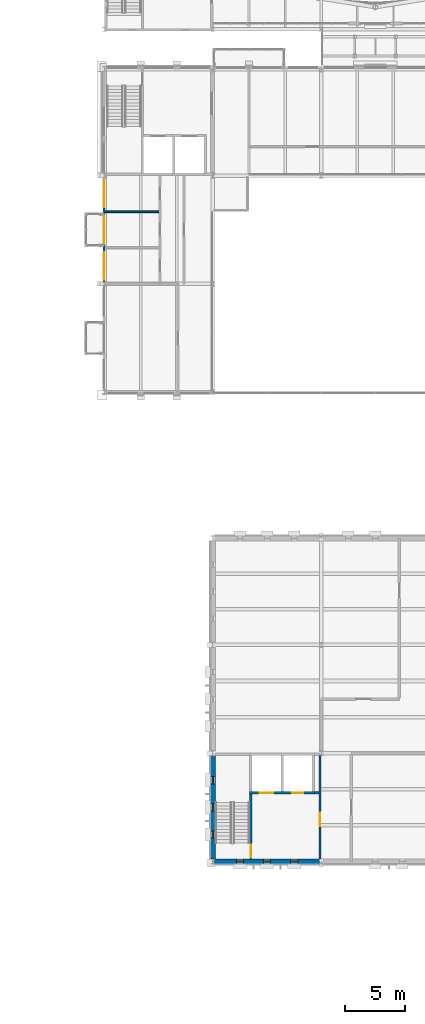
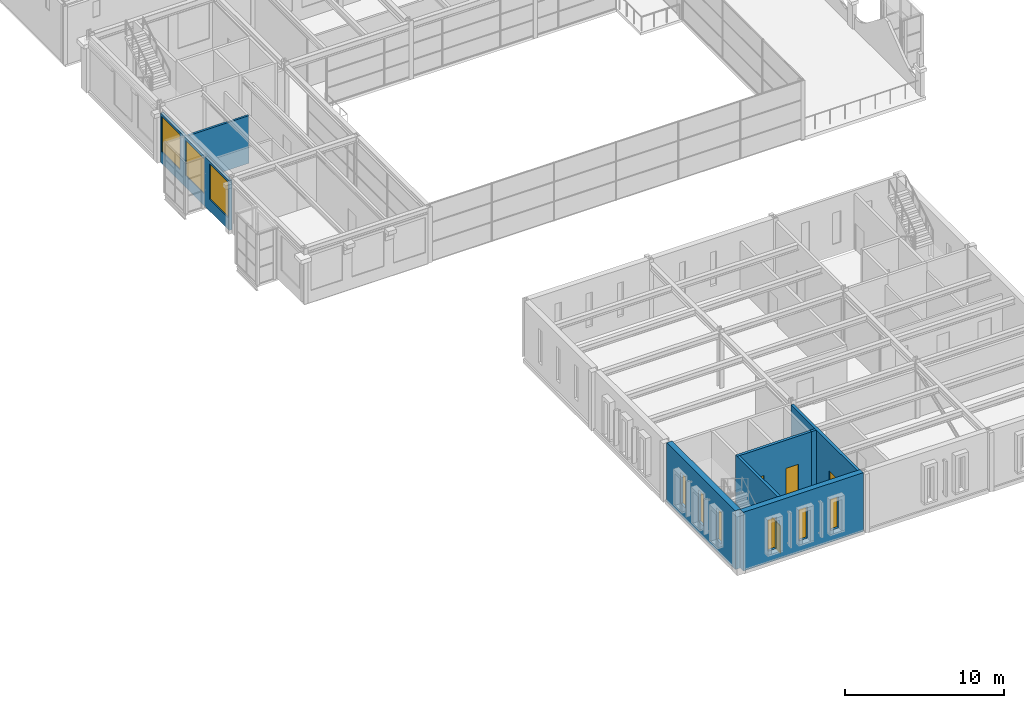
# One storey, part 65 of 111: 9 windows, 8 walls, 4 doors, 13 openings.
"""IFC4 building model written with IfcOpenShell, lengths in metres."""

from ifc_helpers import new_model, si_unit, direction, frame, frame_2d, origin, place, context, subcontext, project, spatial, rectangle, extrude, material, layer, layer_set, type_object, element, fill, save


model = new_model("IFC4")

# Units and contexts
model_context = context("Model", 3, precision=1e-05, world=origin(), true_north=direction((0.0, 1.0)))
body_context = subcontext(model_context, "Body", "Model", "MODEL_VIEW")
ifc_project = project(units=[si_unit("LENGTHUNIT", "METRE"), si_unit("AREAUNIT", "SQUARE_METRE"), si_unit("VOLUMEUNIT", "CUBIC_METRE"), si_unit("PLANEANGLEUNIT", "RADIAN"), si_unit("MASSUNIT", "GRAM", prefix="KILO")], contexts=[model_context])

# Site, building, storey
site_placement = place(None, origin())
site = spatial("IfcSite", under=ifc_project, at=site_placement, CompositionType="ELEMENT")
building_placement = place(site_placement, origin())
building = spatial("IfcBuilding", under=site, at=building_placement, Name="Kallimachos Central Library", CompositionType="ELEMENT")
storey_placement = place(building_placement, frame((0.0, 0.0, 14.39990234375)))
storey = spatial("IfcBuildingStorey", under=building, at=storey_placement, Name="L03", CompositionType="ELEMENT", Elevation=14.39990234375)

# Wall, opening, door
ifc_material_1 = material(Name="Concrete C30/37", Category="concrete")
ifc_layer_1 = layer(ifc_material_1, 0.199951171875)
ifc_layer_set_1 = layer_set([ifc_layer_1], Name="Core wall 200")
wall_type_1 = type_object("IfcWallType", Name="Core wall 200", PredefinedType="SOLIDWALL", material=ifc_layer_set_1)
wall_1_placement = place(storey_placement, frame((83.39990234375, 18.199951171875, 0.0), z_axis=(0.0, 0.0, 1.0), x_axis=(0.0, 1.0, 0.0)))
wall_1 = element("IfcWall", 1, at=wall_1_placement, inside=storey, type_object=wall_type_1, Name="V5-WAL-L03-024", PredefinedType="SOLIDWALL", context=body_context, shape_type="SweptSolid", body=[
    extrude(rectangle(XDim=8.611572265625, YDim=0.199951171875, at=frame_2d((4.3056640625, 0.0))), origin(), (0.0, 0.0, 1.0), 4.25),
])
opening_1_placement = place(wall_1_placement, frame((2.75, 0.0, 0.0)))
opening_1 = element("IfcOpeningElement", 2, at=opening_1_placement, cuts=wall_1, Name="Opening D122", PredefinedType="OPENING", context=body_context, shape_type="SweptSolid", body=[
    extrude(rectangle(XDim=1.10009765625, YDim=2.10009765625, at=frame_2d((0.550048828125, 1.050048828125))), frame((0.0, 0.10986328125, 0.0), z_axis=(0.0, -1.0, 0.0), x_axis=(1.0, 0.0, 0.0)), (0.0, 0.0, 1.0), 0.219970703125),
])
ifc_material_2 = material(Name="Steel fire door", Category="steel")
door_type_1 = type_object("IfcDoorType", Name="Fire door EI2 90 1100 x 2100", OperationType="NOTDEFINED", PredefinedType="DOOR", material=ifc_material_2)
door_1_placement = place(opening_1_placement, origin())
door_1 = element("IfcDoor", 3, at=door_1_placement, inside=storey, type_object=door_type_1, Name="ST13 lobby door L03", OperationType="SINGLE_SWING_RIGHT", OverallHeight=2.10009765625, OverallWidth=1.10009765625, PredefinedType="DOOR", context=body_context, shape_type="SweptSolid", body=[
    extrude(rectangle(XDim=1.10009765625, YDim=2.10009765625, at=frame_2d((0.550048828125, 1.050048828125))), frame((0.0, 0.02490234375, 0.0), z_axis=(0.0, -1.0, 0.0), x_axis=(1.0, 0.0, 0.0)), (0.0, 0.0, 1.0), 0.050048828125),
])
fill(opening_1, door_1)

wall_2_placement = place(storey_placement, frame((77.64990234375, 18.199951171875, 0.0), z_axis=(0.0, 0.0, 1.0), x_axis=(0.0, 1.0, 0.0)))
wall_2 = element("IfcWall", 4, at=wall_2_placement, inside=storey, type_object=wall_type_1, Name="V5-WAL-L03-025", PredefinedType="SOLIDWALL", context=body_context, shape_type="SweptSolid", body=[
    extrude(rectangle(XDim=5.60009765625, YDim=0.199951171875, at=frame_2d((2.800048828125, 0.0))), origin(), (0.0, 0.0, 1.0), 4.25),
])
opening_2_placement = place(wall_2_placement, frame((0.10009765625, 0.0, 0.0)))
opening_2 = element("IfcOpeningElement", 5, at=opening_2_placement, cuts=wall_2, Name="Opening D121", PredefinedType="OPENING", context=body_context, shape_type="SweptSolid", body=[
    extrude(rectangle(XDim=1.10009765625, YDim=2.10009765625, at=frame_2d((0.550048828125, 1.050048828125))), frame((0.0, 0.10986328125, 0.0), z_axis=(0.0, -1.0, 0.0), x_axis=(1.0, 0.0, 0.0)), (0.0, 0.0, 1.0), 0.219970703125),
])
door_2_placement = place(opening_2_placement, origin())
door_2 = element("IfcDoor", 6, at=door_2_placement, inside=storey, type_object=door_type_1, Name="ST13 stair door L03", OperationType="SINGLE_SWING_RIGHT", OverallHeight=2.10009765625, OverallWidth=1.10009765625, PredefinedType="DOOR", context=body_context, shape_type="SweptSolid", body=[
    extrude(rectangle(XDim=1.10009765625, YDim=2.10009765625, at=frame_2d((0.550048828125, 1.050048828125))), frame((0.0, 0.02490234375, 0.0), z_axis=(0.0, -1.0, 0.0), x_axis=(1.0, 0.0, 0.0)), (0.0, 0.0, 1.0), 0.050048828125),
])
fill(opening_2, door_2)

# Wall
wall_3_placement = place(storey_placement, frame((82.949951171875, 23.699951171875, 0.0), z_axis=(0.0, 0.0, 1.0), x_axis=(1.0, 0.0, 0.0)))
element("IfcWall", 7, at=wall_3_placement, inside=storey, type_object=wall_type_1, Name="V5-WAL-L03-026", PredefinedType="SOLIDWALL", context=body_context, shape_type="SweptSolid", body=[
    extrude(rectangle(XDim=0.35009765625, YDim=0.199951171875, at=frame_2d((0.175048828125, 0.0))), origin(), (0.0, 0.0, 1.0), 4.25),
])

# Wall, openings, doors
ifc_material_3 = material(Name="Concrete C30/37", Category="concrete")
ifc_layer_2 = layer(ifc_material_3, 0.199951171875)
ifc_layer_set_2 = layer_set([ifc_layer_2], Name="Lift shaft wall 200")
wall_type_2 = type_object("IfcWallType", Name="Lift shaft wall 200", PredefinedType="SOLIDWALL", material=ifc_layer_set_2)
wall_4_placement = place(storey_placement, frame((77.550048828125, 23.699951171875, 0.0), z_axis=(0.0, 0.0, 1.0), x_axis=(1.0, 0.0, 0.0)))
wall_4 = element("IfcWall", 8, at=wall_4_placement, inside=storey, type_object=wall_type_2, Name="V5-WAL-L03-001", PredefinedType="SOLIDWALL", context=body_context, shape_type="SweptSolid", body=[
    extrude(rectangle(XDim=5.39990234375, YDim=0.199951171875, at=frame_2d((2.699951171875, 0.0))), origin(), (0.0, 0.0, 1.0), 4.25),
])
opening_3_placement = place(wall_4_placement, frame((0.85009765625, 0.0, 0.0)))
opening_3 = element("IfcOpeningElement", 9, at=opening_3_placement, cuts=wall_4, Name="Opening LD1100", PredefinedType="OPENING", context=body_context, shape_type="SweptSolid", body=[
    extrude(rectangle(XDim=1.10009765625, YDim=2.10009765625, at=frame_2d((0.550048828125, 1.050048828125))), frame((0.0, 0.10986328125, 0.0), z_axis=(0.0, -1.0, 0.0), x_axis=(1.0, 0.0, 0.0)), (0.0, 0.0, 1.0), 0.219970703125),
])
opening_4_placement = place(wall_4_placement, frame((3.550048828125, 0.0, 0.0)))
opening_4 = element("IfcOpeningElement", 10, at=opening_4_placement, cuts=wall_4, Name="Opening LD900", PredefinedType="OPENING", context=body_context, shape_type="SweptSolid", body=[
    extrude(rectangle(XDim=0.89990234375, YDim=2.10009765625, at=frame_2d((0.449951171875, 1.050048828125))), frame((0.0, 0.10986328125, 0.0), z_axis=(0.0, -1.0, 0.0), x_axis=(1.0, 0.0, 0.0)), (0.0, 0.0, 1.0), 0.219970703125),
])
ifc_material_4 = material(Name="Stainless steel", Category="steel")
door_type_2 = type_object("IfcDoorType", Name="Lift landing door 1100 x 2100", OperationType="SLIDING_TO_LEFT", PredefinedType="DOOR", material=ifc_material_4)
door_3_placement = place(opening_3_placement, origin())
door_3 = element("IfcDoor", 11, at=door_3_placement, inside=storey, type_object=door_type_2, Name="LF11 landing door L03", OperationType="SLIDING_TO_LEFT", OverallHeight=2.10009765625, OverallWidth=1.10009765625, PredefinedType="DOOR", context=body_context, shape_type="SweptSolid", body=[
    extrude(rectangle(XDim=1.10009765625, YDim=2.10009765625, at=frame_2d((0.550048828125, 1.050048828125))), frame((0.0, 0.02490234375, 0.0), z_axis=(0.0, -1.0, 0.0), x_axis=(1.0, 0.0, 0.0)), (0.0, 0.0, 1.0), 0.050048828125),
])
fill(opening_3, door_3)
ifc_material_5 = material(Name="Stainless steel", Category="steel")
door_type_3 = type_object("IfcDoorType", Name="Lift landing door 900 x 2100", OperationType="SLIDING_TO_LEFT", PredefinedType="DOOR", material=ifc_material_5)
door_4_placement = place(opening_4_placement, origin())
door_4 = element("IfcDoor", 12, at=door_4_placement, inside=storey, type_object=door_type_3, Name="LF12 landing door L03", OperationType="SLIDING_TO_LEFT", OverallHeight=2.10009765625, OverallWidth=0.89990234375, PredefinedType="DOOR", context=body_context, shape_type="SweptSolid", body=[
    extrude(rectangle(XDim=0.89990234375, YDim=2.10009765625, at=frame_2d((0.449951171875, 1.050048828125))), frame((0.0, 0.02490234375, 0.0), z_axis=(0.0, -1.0, 0.0), x_axis=(1.0, 0.0, 0.0)), (0.0, 0.0, 1.0), 0.050048828125),
])
fill(opening_4, door_4)

# Wall
ifc_material_6 = material(Name="Gypsum board on steel studs", Category="steel")
ifc_layer_3 = layer(ifc_material_6, 0.14990234375)
ifc_layer_set_3 = layer_set([ifc_layer_3], Name="Partition wall 150")
wall_type_3 = type_object("IfcWallType", Name="Partition wall 150", PredefinedType="PARTITIONING", material=ifc_layer_set_3)
wall_5_placement = place(storey_placement, frame((65.550048828125, 72.0, 0.0), z_axis=(0.0, 0.0, 1.0), x_axis=(1.0, 0.0, 0.0)))
element("IfcWall", 13, at=wall_5_placement, inside=storey, type_object=wall_type_3, Name="L03 partition", PredefinedType="PARTITIONING", context=body_context, shape_type="SweptSolid", body=[
    extrude(rectangle(XDim=4.550048828125, YDim=0.14990234375, at=frame_2d((2.27490234375, 0.0))), origin(), (0.0, 0.0, 1.0), 3.650146484375),
])

# Wall, openings, windows
ifc_material_7 = material(Name="Concrete C30/37", Category="concrete")
ifc_layer_4 = layer(ifc_material_7, 0.39990234375)
ifc_layer_set_4 = layer_set([ifc_layer_4], Name="Stone-clad core wall 400")
wall_type_4 = type_object("IfcWallType", Name="Stone-clad core wall 400", PredefinedType="SOLIDWALL", material=ifc_layer_set_4)
wall_6_placement = place(storey_placement, frame((74.64990234375, 18.0, 0.0), z_axis=(0.0, 0.0, 1.0), x_axis=(1.0, 0.0, 0.0)))
wall_6 = element("IfcWall", 14, at=wall_6_placement, inside=storey, type_object=wall_type_4, Name="V5-WAL-L03-010", PredefinedType="SOLIDWALL", context=body_context, shape_type="SweptSolid", body=[
    extrude(rectangle(XDim=8.7001953125, YDim=0.39990234375, at=frame_2d((4.35009765625, 0.0))), origin(), (0.0, 0.0, 1.0), 4.5),
])
opening_5_placement = place(wall_6_placement, frame((1.800048828125, 0.0, 0.89990234375)))
opening_5 = element("IfcOpeningElement", 15, at=opening_5_placement, cuts=wall_6, Name="Opening WN100", PredefinedType="OPENING", context=body_context, shape_type="SweptSolid", body=[
    extrude(rectangle(XDim=0.60009765625, YDim=2.39990234375, at=frame_2d((0.300048828125, 1.199951171875))), frame((0.0, 0.2099609375, 0.0), z_axis=(0.0, -1.0, 0.0), x_axis=(1.0, 0.0, 0.0)), (0.0, 0.0, 1.0), 0.419921875),
])
opening_6_placement = place(wall_6_placement, frame((4.050048828125, 0.0, 0.89990234375)))
opening_6 = element("IfcOpeningElement", 16, at=opening_6_placement, cuts=wall_6, Name="Opening WN101", PredefinedType="OPENING", context=body_context, shape_type="SweptSolid", body=[
    extrude(rectangle(XDim=0.60009765625, YDim=2.39990234375, at=frame_2d((0.300048828125, 1.199951171875))), frame((0.0, 0.2099609375, 0.0), z_axis=(0.0, -1.0, 0.0), x_axis=(1.0, 0.0, 0.0)), (0.0, 0.0, 1.0), 0.419921875),
])
opening_7_placement = place(wall_6_placement, frame((6.300048828125, 0.0, 0.89990234375)))
opening_7 = element("IfcOpeningElement", 17, at=opening_7_placement, cuts=wall_6, Name="Opening WN102", PredefinedType="OPENING", context=body_context, shape_type="SweptSolid", body=[
    extrude(rectangle(XDim=0.60009765625, YDim=2.39990234375, at=frame_2d((0.300048828125, 1.199951171875))), frame((0.0, 0.2099609375, 0.0), z_axis=(0.0, -1.0, 0.0), x_axis=(1.0, 0.0, 0.0)), (0.0, 0.0, 1.0), 0.419921875),
])
ifc_material_8 = material(Name="Anodised aluminium and laminated glass", Category="aluminium")
window_type_1 = type_object("IfcWindowType", Name="Slot window 600 x 2400", PartitioningType="SINGLE_PANEL", PredefinedType="WINDOW", material=ifc_material_8)
window_1_placement = place(opening_5_placement, origin())
window_1 = element("IfcWindow", 18, at=window_1_placement, inside=storey, type_object=window_type_1, Name="V5-WIN-L03-001", OverallHeight=2.39990234375, OverallWidth=0.60009765625, PartitioningType="SINGLE_PANEL", PredefinedType="WINDOW", context=body_context, shape_type="SweptSolid", body=[
    extrude(rectangle(XDim=0.60009765625, YDim=2.39990234375, at=frame_2d((0.300048828125, 1.199951171875))), frame((0.0, 0.030029296875, 0.0), z_axis=(0.0, -1.0, 0.0), x_axis=(1.0, 0.0, 0.0)), (0.0, 0.0, 1.0), 0.06005859375),
])
fill(opening_5, window_1)
window_2_placement = place(opening_6_placement, origin())
window_2 = element("IfcWindow", 19, at=window_2_placement, inside=storey, type_object=window_type_1, Name="V5-WIN-L03-002", OverallHeight=2.39990234375, OverallWidth=0.60009765625, PartitioningType="SINGLE_PANEL", PredefinedType="WINDOW", context=body_context, shape_type="SweptSolid", body=[
    extrude(rectangle(XDim=0.60009765625, YDim=2.39990234375, at=frame_2d((0.300048828125, 1.199951171875))), frame((0.0, 0.030029296875, 0.0), z_axis=(0.0, -1.0, 0.0), x_axis=(1.0, 0.0, 0.0)), (0.0, 0.0, 1.0), 0.06005859375),
])
fill(opening_6, window_2)
window_3_placement = place(opening_7_placement, origin())
window_3 = element("IfcWindow", 20, at=window_3_placement, inside=storey, type_object=window_type_1, Name="V5-WIN-L03-003", OverallHeight=2.39990234375, OverallWidth=0.60009765625, PartitioningType="SINGLE_PANEL", PredefinedType="WINDOW", context=body_context, shape_type="SweptSolid", body=[
    extrude(rectangle(XDim=0.60009765625, YDim=2.39990234375, at=frame_2d((0.300048828125, 1.199951171875))), frame((0.0, 0.030029296875, 0.0), z_axis=(0.0, -1.0, 0.0), x_axis=(1.0, 0.0, 0.0)), (0.0, 0.0, 1.0), 0.06005859375),
])
fill(opening_7, window_3)

wall_7_placement = place(storey_placement, frame((74.5, 18.199951171875, 0.0), z_axis=(0.0, 0.0, 1.0), x_axis=(0.0, 1.0, 0.0)))
wall_7 = element("IfcWall", 21, at=wall_7_placement, inside=storey, type_object=wall_type_4, Name="V5-WAL-L03-016", PredefinedType="SOLIDWALL", context=body_context, shape_type="SweptSolid", body=[
    extrude(rectangle(XDim=8.60009765625, YDim=0.39990234375, at=frame_2d((4.300048828125, 0.0))), origin(), (0.0, 0.0, 1.0), 4.5),
])
opening_8_placement = place(wall_7_placement, frame((1.75, 0.0, 0.89990234375)))
opening_8 = element("IfcOpeningElement", 22, at=opening_8_placement, cuts=wall_7, Name="Opening WN116", PredefinedType="OPENING", context=body_context, shape_type="SweptSolid", body=[
    extrude(rectangle(XDim=0.60009765625, YDim=2.39990234375, at=frame_2d((0.300048828125, 1.199951171875))), frame((0.0, 0.2099609375, 0.0), z_axis=(0.0, -1.0, 0.0), x_axis=(1.0, 0.0, 0.0)), (0.0, 0.0, 1.0), 0.419921875),
])
opening_9_placement = place(wall_7_placement, frame((4.0, 0.0, 0.89990234375)))
opening_9 = element("IfcOpeningElement", 23, at=opening_9_placement, cuts=wall_7, Name="Opening WN117", PredefinedType="OPENING", context=body_context, shape_type="SweptSolid", body=[
    extrude(rectangle(XDim=0.60009765625, YDim=2.39990234375, at=frame_2d((0.300048828125, 1.199951171875))), frame((0.0, 0.2099609375, 0.0), z_axis=(0.0, -1.0, 0.0), x_axis=(1.0, 0.0, 0.0)), (0.0, 0.0, 1.0), 0.419921875),
])
opening_10_placement = place(wall_7_placement, frame((6.25, 0.0, 0.89990234375)))
opening_10 = element("IfcOpeningElement", 24, at=opening_10_placement, cuts=wall_7, Name="Opening WN118", PredefinedType="OPENING", context=body_context, shape_type="SweptSolid", body=[
    extrude(rectangle(XDim=0.60009765625, YDim=2.39990234375, at=frame_2d((0.300048828125, 1.199951171875))), frame((0.0, 0.2099609375, 0.0), z_axis=(0.0, -1.0, 0.0), x_axis=(1.0, 0.0, 0.0)), (0.0, 0.0, 1.0), 0.419921875),
])
window_4_placement = place(opening_8_placement, origin())
window_4 = element("IfcWindow", 25, at=window_4_placement, inside=storey, type_object=window_type_1, Name="V5-WIN-L03-017", OverallHeight=2.39990234375, OverallWidth=0.60009765625, PartitioningType="SINGLE_PANEL", PredefinedType="WINDOW", context=body_context, shape_type="SweptSolid", body=[
    extrude(rectangle(XDim=0.60009765625, YDim=2.39990234375, at=frame_2d((0.300048828125, 1.199951171875))), frame((0.0, 0.030029296875, 0.0), z_axis=(0.0, -1.0, 0.0), x_axis=(1.0, 0.0, 0.0)), (0.0, 0.0, 1.0), 0.06005859375),
])
fill(opening_8, window_4)
window_5_placement = place(opening_9_placement, origin())
window_5 = element("IfcWindow", 26, at=window_5_placement, inside=storey, type_object=window_type_1, Name="V5-WIN-L03-018", OverallHeight=2.39990234375, OverallWidth=0.60009765625, PartitioningType="SINGLE_PANEL", PredefinedType="WINDOW", context=body_context, shape_type="SweptSolid", body=[
    extrude(rectangle(XDim=0.60009765625, YDim=2.39990234375, at=frame_2d((0.300048828125, 1.199951171875))), frame((0.0, 0.030029296875, 0.0), z_axis=(0.0, -1.0, 0.0), x_axis=(1.0, 0.0, 0.0)), (0.0, 0.0, 1.0), 0.06005859375),
])
fill(opening_9, window_5)
window_6_placement = place(opening_10_placement, origin())
window_6 = element("IfcWindow", 27, at=window_6_placement, inside=storey, type_object=window_type_1, Name="V5-WIN-L03-019", OverallHeight=2.39990234375, OverallWidth=0.60009765625, PartitioningType="SINGLE_PANEL", PredefinedType="WINDOW", context=body_context, shape_type="SweptSolid", body=[
    extrude(rectangle(XDim=0.60009765625, YDim=2.39990234375, at=frame_2d((0.300048828125, 1.199951171875))), frame((0.0, 0.030029296875, 0.0), z_axis=(0.0, -1.0, 0.0), x_axis=(1.0, 0.0, 0.0)), (0.0, 0.0, 1.0), 0.06005859375),
])
fill(opening_10, window_6)

ifc_material_9 = material(Name="Brick masonry with Pentelic marble cladding", Category="masonry")
ifc_layer_5 = layer(ifc_material_9, 0.199951171875)
ifc_layer_set_5 = layer_set([ifc_layer_5], Name="Stone-clad masonry wall 200")
wall_type_5 = type_object("IfcWallType", Name="Stone-clad masonry wall 200", PredefinedType="SOLIDWALL", material=ifc_layer_set_5)
wall_8_placement = place(storey_placement, frame((65.445556640625, 66.1884765625, 0.0), z_axis=(0.0, 0.0, 1.0), x_axis=(0.0, 1.0, 0.0)))
wall_8 = element("IfcWall", 28, at=wall_8_placement, inside=storey, type_object=wall_type_5, Name="V4-WAL-L03-021", PredefinedType="SOLIDWALL", context=body_context, shape_type="SweptSolid", body=[
    extrude(rectangle(XDim=8.595458984375, YDim=0.199951171875, at=frame_2d((4.2978515625, 0.0))), origin(), (0.0, 0.0, 1.0), 3.800048828125),
])
opening_11_placement = place(wall_8_placement, frame((0.16162109375, 0.0, 0.89990234375)))
opening_11 = element("IfcOpeningElement", 29, at=opening_11_placement, cuts=wall_8, Name="Opening WN161", PredefinedType="OPENING", context=body_context, shape_type="SweptSolid", body=[
    extrude(rectangle(XDim=2.300048828125, YDim=2.699951171875, at=frame_2d((1.14990234375, 1.35009765625))), frame((0.0, 0.10986328125, 0.0), z_axis=(0.0, -1.0, 0.0), x_axis=(1.0, 0.0, 0.0)), (0.0, 0.0, 1.0), 0.219970703125),
])
opening_12_placement = place(wall_8_placement, frame((3.16162109375, 0.0, 0.89990234375)))
opening_12 = element("IfcOpeningElement", 30, at=opening_12_placement, cuts=wall_8, Name="Opening WN161", PredefinedType="OPENING", context=body_context, shape_type="SweptSolid", body=[
    extrude(rectangle(XDim=2.300048828125, YDim=2.699951171875, at=frame_2d((1.14990234375, 1.35009765625))), frame((0.0, 0.10986328125, 0.0), z_axis=(0.0, -1.0, 0.0), x_axis=(1.0, 0.0, 0.0)), (0.0, 0.0, 1.0), 0.219970703125),
])
opening_13_placement = place(wall_8_placement, frame((6.16162109375, 0.0, 0.89990234375)))
opening_13 = element("IfcOpeningElement", 31, at=opening_13_placement, cuts=wall_8, Name="Opening WN161", PredefinedType="OPENING", context=body_context, shape_type="SweptSolid", body=[
    extrude(rectangle(XDim=2.300048828125, YDim=2.699951171875, at=frame_2d((1.14990234375, 1.35009765625))), frame((0.0, 0.10986328125, 0.0), z_axis=(0.0, -1.0, 0.0), x_axis=(1.0, 0.0, 0.0)), (0.0, 0.0, 1.0), 0.219970703125),
])
ifc_material_10 = material(Name="Anodised aluminium and laminated glass", Category="aluminium")
window_type_2 = type_object("IfcWindowType", Name="Window 2300 x 2700", PartitioningType="DOUBLE_PANEL_VERTICAL", PredefinedType="WINDOW", material=ifc_material_10)
window_7_placement = place(opening_11_placement, origin())
window_7 = element("IfcWindow", 32, at=window_7_placement, inside=storey, type_object=window_type_2, Name="V4-WIN-L03-018", OverallHeight=2.699951171875, OverallWidth=2.300048828125, PartitioningType="SINGLE_PANEL", PredefinedType="WINDOW", context=body_context, shape_type="SweptSolid", body=[
    extrude(rectangle(XDim=2.300048828125, YDim=2.699951171875, at=frame_2d((1.14990234375, 1.35009765625))), frame((0.0, 0.030029296875, 0.0), z_axis=(0.0, -1.0, 0.0), x_axis=(1.0, 0.0, 0.0)), (0.0, 0.0, 1.0), 0.06005859375),
])
fill(opening_11, window_7)
window_8_placement = place(opening_12_placement, origin())
window_8 = element("IfcWindow", 33, at=window_8_placement, inside=storey, type_object=window_type_2, Name="V4-WIN-L03-019", OverallHeight=2.699951171875, OverallWidth=2.300048828125, PartitioningType="SINGLE_PANEL", PredefinedType="WINDOW", context=body_context, shape_type="SweptSolid", body=[
    extrude(rectangle(XDim=2.300048828125, YDim=2.699951171875, at=frame_2d((1.14990234375, 1.35009765625))), frame((0.0, 0.030029296875, 0.0), z_axis=(0.0, -1.0, 0.0), x_axis=(1.0, 0.0, 0.0)), (0.0, 0.0, 1.0), 0.06005859375),
])
fill(opening_12, window_8)
window_9_placement = place(opening_13_placement, origin())
window_9 = element("IfcWindow", 34, at=window_9_placement, inside=storey, type_object=window_type_2, Name="V4-WIN-L03-020", OverallHeight=2.699951171875, OverallWidth=2.300048828125, PartitioningType="SINGLE_PANEL", PredefinedType="WINDOW", context=body_context, shape_type="SweptSolid", body=[
    extrude(rectangle(XDim=2.300048828125, YDim=2.699951171875, at=frame_2d((1.14990234375, 1.35009765625))), frame((0.0, 0.030029296875, 0.0), z_axis=(0.0, -1.0, 0.0), x_axis=(1.0, 0.0, 0.0)), (0.0, 0.0, 1.0), 0.06005859375),
])
fill(opening_13, window_9)

save(model, "model.ifc")
